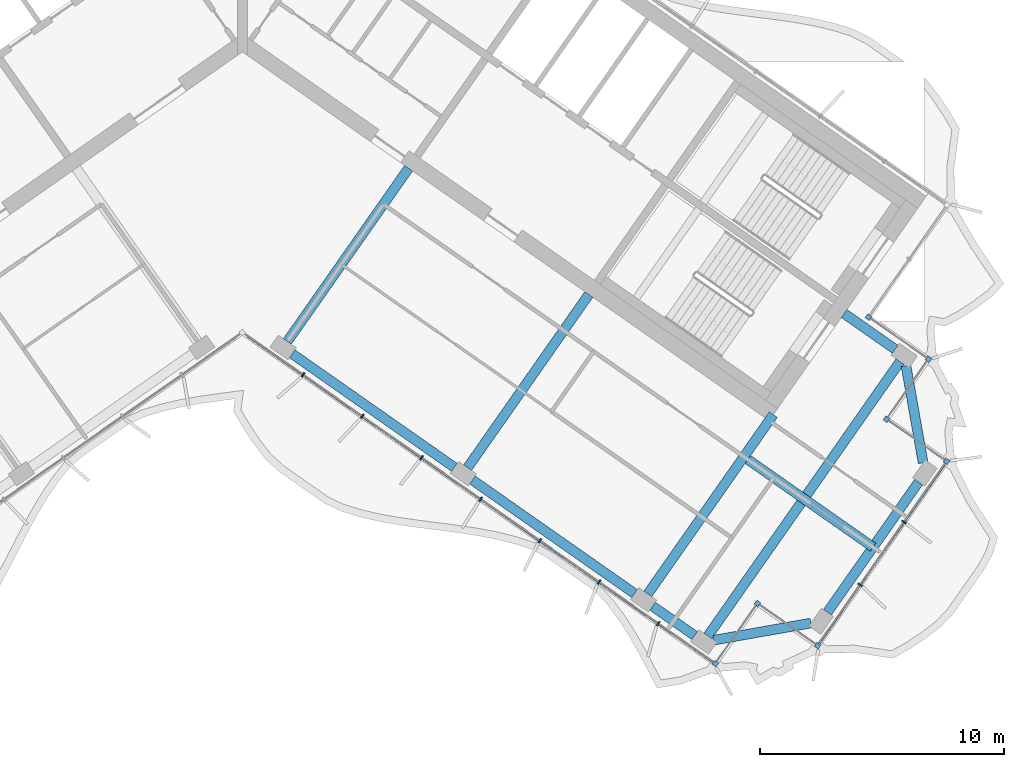
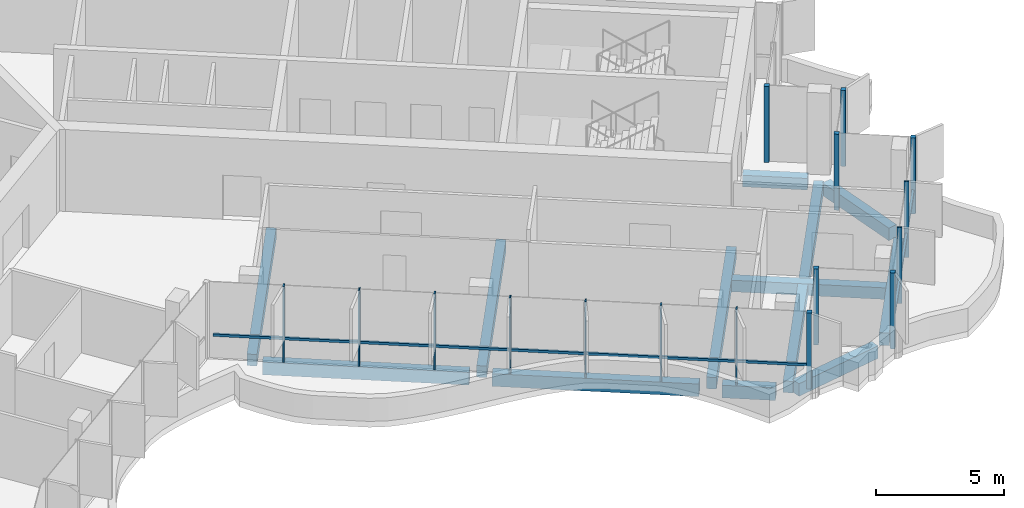
# One storey, part 4 of 18: 18 members, 12 beams, 2 elements without a shape of their own.
"""IFC4 building model written with IfcOpenShell, lengths in metres."""

from ifc_helpers import new_model, si_unit, direction, frame, origin, origin_2d, place, context, subcontext, project, spatial, rectangle, extrude, material, material_profile, profile_set, type_object, element, aggregate, save


model = new_model("IFC4")

# Units and contexts
model_context = context("Model", 3, precision=1e-05, world=origin(), true_north=direction((0.0, 1.0)))
body_context = subcontext(model_context, "Body", "Model", "MODEL_VIEW")
ifc_project = project(units=[si_unit("LENGTHUNIT", "METRE"), si_unit("AREAUNIT", "SQUARE_METRE"), si_unit("VOLUMEUNIT", "CUBIC_METRE"), si_unit("PLANEANGLEUNIT", "RADIAN"), si_unit("MASSUNIT", "GRAM", prefix="KILO")], contexts=[model_context])

# Site, building, storey
site_placement = place(None, origin())
site = spatial("IfcSite", under=ifc_project, at=site_placement, CompositionType="ELEMENT")
building_placement = place(site_placement, origin())
building = spatial("IfcBuilding", under=site, at=building_placement, Name="Tel Ilan Convention Tower", CompositionType="ELEMENT")
storey_placement = place(building_placement, frame((0.0, 0.0, 295.60009765625)))
storey = spatial("IfcBuildingStorey", under=building, at=storey_placement, Name="L70", CompositionType="ELEMENT", Elevation=295.60009765625)

# Beams
ifc_material_1 = material(Name="Concrete C40/50", Category="concrete")
ifc_material_profile_1 = material_profile(ifc_material_1, rectangle(XDim=0.39990234375, YDim=0.550048828125, at=origin_2d()), Name="RC 400x550")
ifc_profile_set_1 = profile_set([ifc_material_profile_1], Name="Concrete C40/50")
beam_type_1 = type_object("IfcBeamType", Name="Beam RC 400x550 Concrete C40/50", PredefinedType="BEAM", material=ifc_profile_set_1)
beam_1_placement = place(storey_placement, frame((26.700927734375, -13.385986328125, -0.55517578125), z_axis=(-0.819119449707, 0.573622983424, 0.0), x_axis=(-0.573622983424, -0.819119449707, 0.0)))
element("IfcBeam", 1, at=beam_1_placement, inside=storey, type_object=beam_type_1, Name="L70 beam E-E-BC-core", PredefinedType="BEAM", context=body_context, shape_type="SweptSolid", body=[
    extrude(rectangle(XDim=0.39990234375, YDim=0.550048828125, at=origin_2d()), origin(), (0.0, 0.0, 1.0), 2.5498046875),
])
for number, where, z_axis, x_axis, name in (
    (2, (1.83740234375, -13.06689453125, -0.55517578125), (0.573574099654, 0.819153680457, 0.0), (-0.819153680457, 0.573574099654, 0.0), "L70 beam E-E-F1-core"),
    (3, (9.209716796875, -18.229248046875, -0.55517578125), (0.573574099654, 0.819153680457, 0.0), (-0.819153680457, 0.573574099654, 0.0), "L70 beam E-E-F2-core"),
):
    element("IfcBeam", number, at=place(storey_placement, frame(where, z_axis=z_axis, x_axis=x_axis)), inside=storey, type_object=beam_type_1, Name=name, PredefinedType="BEAM", context=body_context, shape_type="SweptSolid", body=[
        extrude(rectangle(XDim=0.39990234375, YDim=0.550048828125, at=origin_2d()), origin(), (0.0, 0.0, 1.0), 8.64990234375),
    ])
beam_2_placement = place(storey_placement, frame((16.58203125, -23.391357421875, -0.55517578125), z_axis=(0.573584999642, 0.819146048141, 0.0), x_axis=(-0.819146048141, 0.573584999642, 0.0)))
element("IfcBeam", 4, at=beam_2_placement, inside=storey, type_object=beam_type_1, Name="L70 beam E-E-F3-core", PredefinedType="BEAM", context=body_context, shape_type="SweptSolid", body=[
    extrude(rectangle(XDim=0.39990234375, YDim=0.550048828125, at=origin_2d()), origin(), (0.0, 0.0, 1.0), 8.949951171875),
])
beam_3_placement = place(storey_placement, frame((20.6748046875, -17.89501953125, -0.55517578125), z_axis=(0.819171356584, -0.573548854548, 0.0), x_axis=(0.573548854548, 0.819171356584, 0.0)))
element("IfcBeam", 5, at=beam_3_placement, inside=storey, type_object=beam_type_1, Name="L70 beam E-core-end", PredefinedType="BEAM", context=body_context, shape_type="SweptSolid", body=[
    extrude(rectangle(XDim=0.39990234375, YDim=0.550048828125, at=origin_2d()), origin(), (0.0, 0.0, 1.0), 6.25),
])
beam_4_placement = place(storey_placement, frame((19.03955078125, -25.112060546875, -0.55517578125), z_axis=(0.57357117602, 0.819155727587, 0.0), x_axis=(-0.819155727587, 0.57357117602, 0.0)))
element("IfcBeam", 6, at=beam_4_placement, inside=storey, type_object=beam_type_1, Name="L70 beam E-E-FC-E-BC", PredefinedType="BEAM", context=body_context, shape_type="SweptSolid", body=[
    extrude(rectangle(XDim=0.39990234375, YDim=0.550048828125, at=origin_2d()), origin(), (0.0, 0.0, 1.0), 13.699951171875),
])
ifc_material_2 = material(Name="Concrete C40/50", Category="concrete")
ifc_material_profile_2 = material_profile(ifc_material_2, rectangle(XDim=0.39990234375, YDim=0.60009765625, at=origin_2d()), Name="RC 400x600")
ifc_profile_set_2 = profile_set([ifc_material_profile_2], Name="Concrete C40/50")
beam_type_2 = type_object("IfcBeamType", Name="Beam RC 400x600 Concrete C40/50", PredefinedType="BEAM", material=ifc_profile_set_2)
beam_5_placement = place(storey_placement, frame((2.033935546875, -13.57080078125, -0.580078125), z_axis=(0.81914553362, -0.573585734437, 0.0), x_axis=(0.573585734437, 0.81914553362, 0.0)))
element("IfcBeam", 7, at=beam_5_placement, inside=storey, type_object=beam_type_2, Name="L70 beam E-E-F1-E-F2", PredefinedType="BEAM", context=body_context, shape_type="SweptSolid", body=[
    extrude(rectangle(XDim=0.39990234375, YDim=0.60009765625, at=origin_2d()), origin(), (0.0, 0.0, 1.0), 8.099853515625),
])
beam_6_placement = place(storey_placement, frame((9.40625, -18.73291015625, -0.580078125), z_axis=(0.819155449703, -0.573571572885, 0.0), x_axis=(0.573571572885, 0.819155449703, 0.0)))
element("IfcBeam", 8, at=beam_6_placement, inside=storey, type_object=beam_type_2, Name="L70 beam E-E-F2-E-F3", PredefinedType="BEAM", context=body_context, shape_type="SweptSolid", body=[
    extrude(rectangle(XDim=0.39990234375, YDim=0.60009765625, at=origin_2d()), origin(), (0.0, 0.0, 1.0), 8.10009765625),
])
beam_7_placement = place(storey_placement, frame((16.778564453125, -23.895263671875, -0.580078125), z_axis=(0.819188222026, -0.573524765719, 0.0), x_axis=(0.573524765719, 0.819188222026, 0.0)))
element("IfcBeam", 9, at=beam_7_placement, inside=storey, type_object=beam_type_2, Name="L70 beam E-E-F3-E-FC", PredefinedType="BEAM", context=body_context, shape_type="SweptSolid", body=[
    extrude(rectangle(XDim=0.39990234375, YDim=0.60009765625, at=origin_2d()), origin(), (0.0, 0.0, 1.0), 2.099853515625),
])
beam_8_placement = place(storey_placement, frame((19.285400390625, -25.2841796875, -0.580078125), z_axis=(0.984804894423, 0.173664388751, 0.0), x_axis=(-0.173664388751, 0.984804894423, 0.0)))
element("IfcBeam", 10, at=beam_8_placement, inside=storey, type_object=beam_type_2, Name="L70 beam E-E-FC-E-E1", PredefinedType="BEAM", context=body_context, shape_type="SweptSolid", body=[
    extrude(rectangle(XDim=0.39990234375, YDim=0.60009765625, at=origin_2d()), origin(), (0.0, 0.0, 1.0), 4.030517578125),
])
beam_9_placement = place(storey_placement, frame((23.930419921875, -24.14208984375, -0.580078125), z_axis=(0.573563169494, 0.819161333682, 0.0), x_axis=(-0.819161333682, 0.573563169494, 0.0)))
element("IfcBeam", 11, at=beam_9_placement, inside=storey, type_object=beam_type_2, Name="L70 beam E-E-E1-E-E2", PredefinedType="BEAM", context=body_context, shape_type="SweptSolid", body=[
    extrude(rectangle(XDim=0.39990234375, YDim=0.60009765625, at=origin_2d()), origin(), (0.0, 0.0, 1.0), 6.500244140625),
])
beam_10_placement = place(storey_placement, frame((27.84326171875, -18.031005859375, -0.580078125), z_axis=(-0.173664388751, 0.984804894423, 0.0), x_axis=(-0.984804894423, -0.173664388751, 0.0)))
element("IfcBeam", 12, at=beam_10_placement, inside=storey, type_object=beam_type_2, Name="L70 beam E-E-E2-E-BC", PredefinedType="BEAM", context=body_context, shape_type="SweptSolid", body=[
    extrude(rectangle(XDim=0.39990234375, YDim=0.60009765625, at=origin_2d()), origin(), (0.0, 0.0, 1.0), 4.030517578125),
])

# Curtain wall, member
ifc_material_3 = material(Name="Aluminium, bronze anodised", Category="aluminium")
curtain_wall_type_1 = type_object("IfcCurtainWallType", Name="CW2 STICK CURTAIN WALL, SPANDREL PANELS", PredefinedType="NOTDEFINED", material=ifc_material_3)
curtain_wall_1_placement = place(storey_placement, origin())
curtain_wall_1 = element("IfcCurtainWall", 13, at=curtain_wall_1_placement, inside=storey, type_object=curtain_wall_type_1, Name="Curtain wall CW2-53.01", PredefinedType="NOTDEFINED")
ifc_material_4 = material(Name="Aluminium, bronze anodised", Category="aluminium")
ifc_material_profile_3 = material_profile(ifc_material_4, rectangle(XDim=0.199951171875, YDim=0.199951171875, at=origin_2d()), Name="CW CORNER MULLION 200x200")
ifc_profile_set_3 = profile_set([ifc_material_profile_3], Name="Aluminium, bronze anodised")
member_type_1 = type_object("IfcMemberType", Name="CW CORNER MULLION 200x200", PredefinedType="MULLION", material=ifc_profile_set_3)
member_1_placement = place(storey_placement, frame((25.607421875, -12.07080078125, 0.0), z_axis=(0.0, 0.0, 1.0), x_axis=(-0.819152044289, 0.573576436351, 0.0)))
member_1 = element("IfcMember", 14, at=member_1_placement, type_object=member_type_1, Name="Corner mullion", PredefinedType="MULLION", context=body_context, shape_type="SweptSolid", body=[
    extrude(rectangle(XDim=0.199951171875, YDim=0.199951171875, at=origin_2d()), origin(), (0.0, 0.0, 1.0), 3.619873046875),
])
aggregate(curtain_wall_1, [member_1])

# Curtain wall, members
ifc_material_5 = material(Name="Aluminium, bronze anodised", Category="aluminium")
curtain_wall_type_2 = type_object("IfcCurtainWallType", Name="CW5 STICK CURTAIN WALL, UPPER OFFICE LOW-IRON TINTED GLASS", PredefinedType="NOTDEFINED", material=ifc_material_5)
curtain_wall_2_placement = place(storey_placement, origin())
curtain_wall_2 = element("IfcCurtainWall", 15, at=curtain_wall_2_placement, inside=storey, type_object=curtain_wall_type_2, Name="Curtain wall CW5-53.04", PredefinedType="NOTDEFINED")
member_2_placement = place(storey_placement, frame((19.3466796875, -26.24267578125, 0.0), z_axis=(0.0, 0.0, 1.0), x_axis=(0.819152044289, -0.573576436351, 0.0)))
member_2 = element("IfcMember", 16, at=member_2_placement, type_object=member_type_1, Name="Corner mullion", PredefinedType="MULLION", context=body_context, shape_type="SweptSolid", body=[
    extrude(rectangle(XDim=0.199951171875, YDim=0.199951171875, at=origin_2d()), origin(), (0.0, 0.0, 1.0), 3.619873046875),
])
member_3_placement = place(storey_placement, frame((21.0673828125, -23.78515625, 0.0), z_axis=(0.0, 0.0, 1.0), x_axis=(0.573576436351, 0.819152044289, 0.0)))
member_3 = element("IfcMember", 17, at=member_3_placement, type_object=member_type_1, Name="Corner mullion", PredefinedType="MULLION", context=body_context, shape_type="SweptSolid", body=[
    extrude(rectangle(XDim=0.199951171875, YDim=0.199951171875, at=origin_2d()), origin(), (0.0, 0.0, 1.0), 3.619873046875),
])
member_4_placement = place(storey_placement, frame((23.52490234375, -25.505859375, 0.0), z_axis=(0.0, 0.0, 1.0), x_axis=(0.819152044289, -0.573576436351, 0.0)))
member_4 = element("IfcMember", 18, at=member_4_placement, type_object=member_type_1, Name="Corner mullion", PredefinedType="MULLION", context=body_context, shape_type="SweptSolid", body=[
    extrude(rectangle(XDim=0.199951171875, YDim=0.199951171875, at=origin_2d()), origin(), (0.0, 0.0, 1.0), 3.619873046875),
])
member_5_placement = place(storey_placement, frame((28.8017578125, -17.9697265625, 0.0), z_axis=(0.0, 0.0, 1.0), x_axis=(0.573576436351, 0.819152044289, 0.0)))
member_5 = element("IfcMember", 19, at=member_5_placement, type_object=member_type_1, Name="Corner mullion", PredefinedType="MULLION", context=body_context, shape_type="SweptSolid", body=[
    extrude(rectangle(XDim=0.199951171875, YDim=0.199951171875, at=origin_2d()), origin(), (0.0, 0.0, 1.0), 3.619873046875),
])
member_6_placement = place(storey_placement, frame((26.34423828125, -16.2490234375, 0.0), z_axis=(0.0, 0.0, 1.0), x_axis=(-0.819152044289, 0.573576436351, 0.0)))
member_6 = element("IfcMember", 20, at=member_6_placement, type_object=member_type_1, Name="Corner mullion", PredefinedType="MULLION", context=body_context, shape_type="SweptSolid", body=[
    extrude(rectangle(XDim=0.199951171875, YDim=0.199951171875, at=origin_2d()), origin(), (0.0, 0.0, 1.0), 3.619873046875),
])
member_7_placement = place(storey_placement, frame((28.06494140625, -13.79150390625, 0.0), z_axis=(0.0, 0.0, 1.0), x_axis=(0.573576436351, 0.819152044289, 0.0)))
member_7 = element("IfcMember", 21, at=member_7_placement, type_object=member_type_1, Name="Corner mullion", PredefinedType="MULLION", context=body_context, shape_type="SweptSolid", body=[
    extrude(rectangle(XDim=0.199951171875, YDim=0.199951171875, at=origin_2d()), origin(), (0.0, 0.0, 1.0), 3.619873046875),
])
ifc_material_6 = material(Name="Aluminium, bronze anodised", Category="aluminium")
ifc_material_profile_4 = material_profile(ifc_material_6, rectangle(XDim=0.06005859375, YDim=0.199951171875, at=origin_2d()), Name="CW MULLION 60x200")
ifc_profile_set_4 = profile_set([ifc_material_profile_4], Name="Aluminium, bronze anodised")
member_type_2 = type_object("IfcMemberType", Name="CW MULLION 60x200", PredefinedType="MULLION", material=ifc_profile_set_4)
member_8_placement = place(storey_placement, frame((2.478759765625, -14.431640625, 0.0), z_axis=(0.0, 0.0, 1.0), x_axis=(0.819152044289, -0.573576436351, 0.0)))
member_8 = element("IfcMember", 22, at=member_8_placement, type_object=member_type_2, Name="Mullion", PredefinedType="MULLION", context=body_context, shape_type="SweptSolid", body=[
    extrude(rectangle(XDim=0.06005859375, YDim=0.199951171875, at=origin_2d()), origin(), (0.0, 0.0, 1.0), 3.619873046875),
])
member_9_placement = place(storey_placement, frame((4.900146484375, -16.127197265625, 0.0), z_axis=(0.0, 0.0, 1.0), x_axis=(0.819152044289, -0.573576436351, 0.0)))
member_9 = element("IfcMember", 23, at=member_9_placement, type_object=member_type_2, Name="Mullion", PredefinedType="MULLION", context=body_context, shape_type="SweptSolid", body=[
    extrude(rectangle(XDim=0.06005859375, YDim=0.199951171875, at=origin_2d()), origin(), (0.0, 0.0, 1.0), 3.619873046875),
])
member_10_placement = place(storey_placement, frame((7.321533203125, -17.82275390625, 0.0), z_axis=(0.0, 0.0, 1.0), x_axis=(0.819152044289, -0.573576436351, 0.0)))
member_10 = element("IfcMember", 24, at=member_10_placement, type_object=member_type_2, Name="Mullion", PredefinedType="MULLION", context=body_context, shape_type="SweptSolid", body=[
    extrude(rectangle(XDim=0.06005859375, YDim=0.199951171875, at=origin_2d()), origin(), (0.0, 0.0, 1.0), 3.619873046875),
])
member_11_placement = place(storey_placement, frame((9.742919921875, -19.51806640625, 0.0), z_axis=(0.0, 0.0, 1.0), x_axis=(0.819152044289, -0.573576436351, 0.0)))
member_11 = element("IfcMember", 25, at=member_11_placement, type_object=member_type_2, Name="Mullion", PredefinedType="MULLION", context=body_context, shape_type="SweptSolid", body=[
    extrude(rectangle(XDim=0.06005859375, YDim=0.199951171875, at=origin_2d()), origin(), (0.0, 0.0, 1.0), 3.619873046875),
])
member_12_placement = place(storey_placement, frame((12.164306640625, -21.213623046875, 0.0), z_axis=(0.0, 0.0, 1.0), x_axis=(0.819152044289, -0.573576436351, 0.0)))
member_12 = element("IfcMember", 26, at=member_12_placement, type_object=member_type_2, Name="Mullion", PredefinedType="MULLION", context=body_context, shape_type="SweptSolid", body=[
    extrude(rectangle(XDim=0.06005859375, YDim=0.199951171875, at=origin_2d()), origin(), (0.0, 0.0, 1.0), 3.619873046875),
])
member_13_placement = place(storey_placement, frame((14.585693359375, -22.9091796875, 0.0), z_axis=(0.0, 0.0, 1.0), x_axis=(0.819152044289, -0.573576436351, 0.0)))
member_13 = element("IfcMember", 27, at=member_13_placement, type_object=member_type_2, Name="Mullion", PredefinedType="MULLION", context=body_context, shape_type="SweptSolid", body=[
    extrude(rectangle(XDim=0.06005859375, YDim=0.199951171875, at=origin_2d()), origin(), (0.0, 0.0, 1.0), 3.619873046875),
])
member_14_placement = place(storey_placement, frame((17.007080078125, -24.6044921875, 0.0), z_axis=(0.0, 0.0, 1.0), x_axis=(0.819152044289, -0.573576436351, 0.0)))
member_14 = element("IfcMember", 28, at=member_14_placement, type_object=member_type_2, Name="Mullion", PredefinedType="MULLION", context=body_context, shape_type="SweptSolid", body=[
    extrude(rectangle(XDim=0.06005859375, YDim=0.199951171875, at=origin_2d()), origin(), (0.0, 0.0, 1.0), 3.619873046875),
])
member_15_placement = place(storey_placement, frame((25.2646484375, -23.021240234375, 0.0), z_axis=(0.0, 0.0, 1.0), x_axis=(0.573576436351, 0.819152044289, 0.0)))
member_15 = element("IfcMember", 29, at=member_15_placement, type_object=member_type_2, Name="Mullion", PredefinedType="MULLION", context=body_context, shape_type="SweptSolid", body=[
    extrude(rectangle(XDim=0.06005859375, YDim=0.199951171875, at=origin_2d()), origin(), (0.0, 0.0, 1.0), 3.619873046875),
])
member_16_placement = place(storey_placement, frame((27.061767578125, -20.45458984375, 0.0), z_axis=(0.0, 0.0, 1.0), x_axis=(0.573576436351, 0.819152044289, 0.0)))
member_16 = element("IfcMember", 30, at=member_16_placement, type_object=member_type_2, Name="Mullion", PredefinedType="MULLION", context=body_context, shape_type="SweptSolid", body=[
    extrude(rectangle(XDim=0.06005859375, YDim=0.199951171875, at=origin_2d()), origin(), (0.0, 0.0, 1.0), 3.619873046875),
])
ifc_material_7 = material(Name="Aluminium, bronze anodised", Category="aluminium")
ifc_material_profile_5 = material_profile(ifc_material_7, rectangle(XDim=0.10009765625, YDim=0.1201171875, at=origin_2d()), Name="CW TRANSOM 100x120")
ifc_profile_set_5 = profile_set([ifc_material_profile_5], Name="Aluminium, bronze anodised")
member_type_3 = type_object("IfcMemberType", Name="CW TRANSOM 100x120", PredefinedType="USERDEFINED", material=ifc_profile_set_5)
member_17_placement = place(storey_placement, frame((0.22119140625, -12.850830078125, 1.099853515625), z_axis=(0.81915001336, -0.573579336808, 0.0), x_axis=(0.573579336808, 0.81915001336, 0.0)))
member_17 = element("IfcMember", 31, at=member_17_placement, type_object=member_type_3, Name="Transom", ObjectType="TRANSOM", PredefinedType="USERDEFINED", context=body_context, shape_type="SweptSolid", body=[
    extrude(rectangle(XDim=0.10009765625, YDim=0.1201171875, at=origin_2d()), origin(), (0.0, 0.0, 1.0), 23.247802734375),
])
member_18_placement = place(storey_placement, frame((23.58203125, -25.424072265625, 1.099853515625), z_axis=(0.573591598124, 0.819141427692, 0.0), x_axis=(-0.819141427692, 0.573591598124, 0.0)))
member_18 = element("IfcMember", 32, at=member_18_placement, type_object=member_type_3, Name="Transom", ObjectType="TRANSOM", PredefinedType="USERDEFINED", context=body_context, shape_type="SweptSolid", body=[
    extrude(rectangle(XDim=0.10009765625, YDim=0.1201171875, at=origin_2d()), origin(), (0.0, 0.0, 1.0), 9.0),
])
aggregate(curtain_wall_2, [member_8, member_9, member_10, member_11, member_12, member_13, member_14, member_2, member_17, member_3, member_4, member_15, member_16, member_5, member_18, member_6, member_7])

save(model, "model.ifc")
